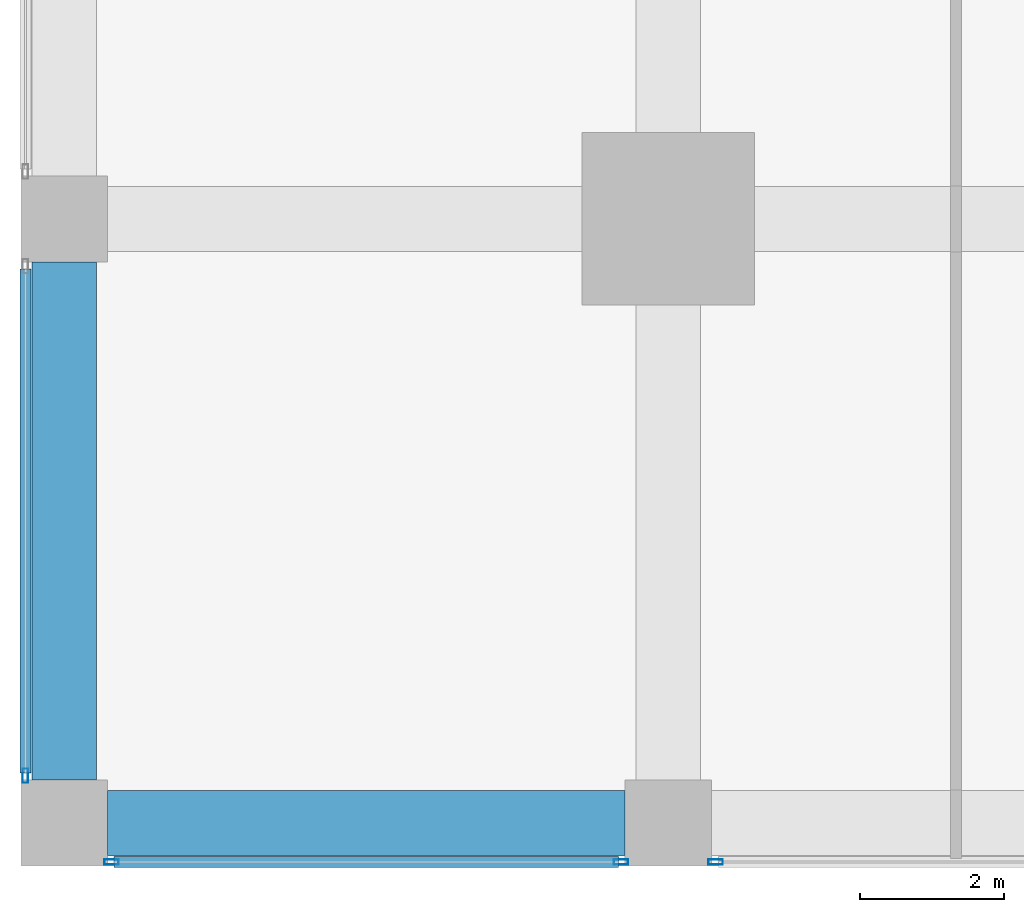
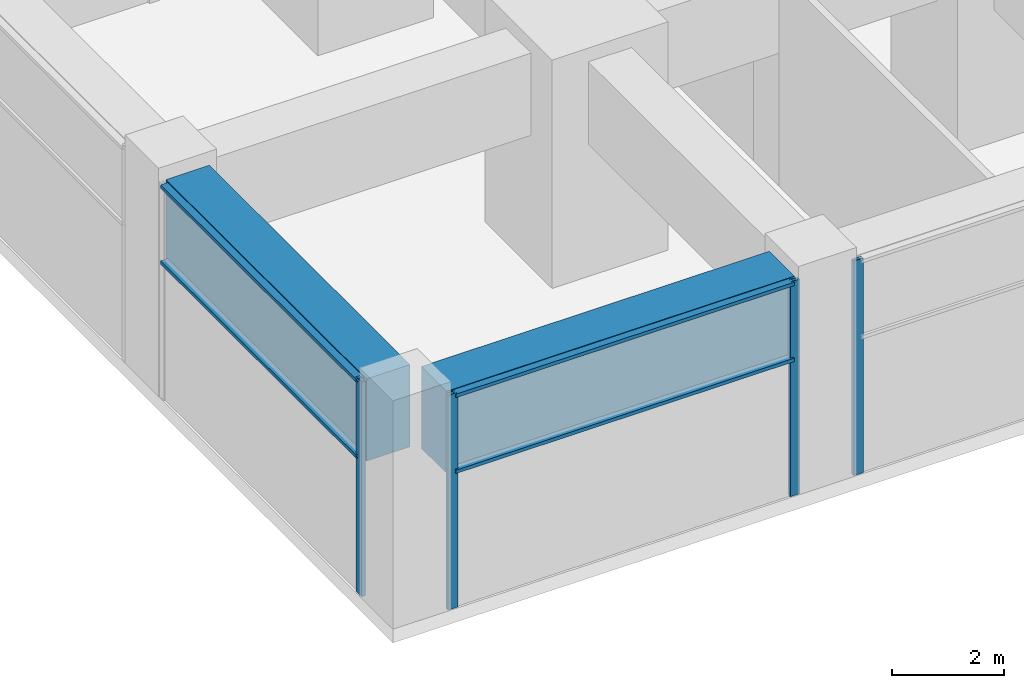
# One storey, part 3 of 48: 8 members, 2 beams, 3 elements without a shape of their own.
"""IFC4 building model written with IfcOpenShell, lengths in metres."""

from ifc_helpers import new_model, si_unit, direction, frame, origin, origin_2d, place, context, subcontext, project, spatial, rectangle, hollow_rectangle, extrude, material, material_profile, profile_set, type_object, element, aggregate, save


model = new_model("IFC4")

# Units and contexts
model_context = context("Model", 3, precision=1e-05, world=origin(), true_north=direction((0.0, 1.0)))
body_context = subcontext(model_context, "Body", "Model", "MODEL_VIEW")
ifc_project = project(units=[si_unit("LENGTHUNIT", "METRE"), si_unit("AREAUNIT", "SQUARE_METRE"), si_unit("VOLUMEUNIT", "CUBIC_METRE"), si_unit("PLANEANGLEUNIT", "RADIAN"), si_unit("MASSUNIT", "GRAM", prefix="KILO")], contexts=[model_context])

# Site, building, storey
site_placement = place(None, origin())
site = spatial("IfcSite", under=ifc_project, at=site_placement, CompositionType="ELEMENT")
building_placement = place(site_placement, origin())
building = spatial("IfcBuilding", under=site, at=building_placement, Name="Rekha Terrace Tower", CompositionType="ELEMENT")
storey_placement = place(building_placement, frame((0.0, 0.0, 15.39990234375)))
storey = spatial("IfcBuildingStorey", under=building, at=storey_placement, Name="L03", CompositionType="ELEMENT", Elevation=15.39990234375)

# Curtain wall, members
ifc_material_1 = material(Name="Aluminium framing", Category="aluminium")
curtain_wall_type = type_object("IfcCurtainWallType", Name="CW4 podium shopfront glazing", PredefinedType="USERDEFINED", material=ifc_material_1)
curtain_wall_1_placement = place(storey_placement, origin())
curtain_wall_1 = element("IfcCurtainWall", 1, at=curtain_wall_1_placement, inside=storey, type_object=curtain_wall_type, Name="CW4 shopfront curtain wall", ObjectType="SHOPFRONT CURTAIN WALL", PredefinedType="USERDEFINED")
ifc_material_2 = material(Name="Aluminium mullion section", Category="aluminium")
ifc_material_profile_1 = material_profile(ifc_material_2, hollow_rectangle(XDim=0.074951171875, YDim=0.199951171875, WallThickness=0.00390625, at=origin_2d()), Name="AL RHS 75x200")
ifc_profile_set_1 = profile_set([ifc_material_profile_1], Name="Aluminium mullion section")
member_type_1 = type_object("IfcMemberType", Name="CW4 mullion RHS 75 x 200", PredefinedType="MULLION", material=ifc_profile_set_1)
member_1_placement = place(storey_placement, frame((0.657470703125, -0.5400390625, 0.0), z_axis=(0.0, 0.0, 1.0), x_axis=(0.0, 1.0, 0.0)))
member_1 = element("IfcMember", 2, at=member_1_placement, type_object=member_type_1, Name="CW4 mullion 1", PredefinedType="MULLION", context=body_context, shape_type="SweptSolid", body=[
    extrude(hollow_rectangle(XDim=0.074951171875, YDim=0.199951171875, WallThickness=0.00390625, at=origin_2d()), origin(), (0.0, 0.0, 1.0), 4.7001953125),
])
member_2_placement = place(storey_placement, frame((7.742431640625, -0.5400390625, 0.0), z_axis=(0.0, 0.0, 1.0), x_axis=(0.0, 1.0, 0.0)))
member_2 = element("IfcMember", 3, at=member_2_placement, type_object=member_type_1, Name="CW4 mullion 2", PredefinedType="MULLION", context=body_context, shape_type="SweptSolid", body=[
    extrude(hollow_rectangle(XDim=0.074951171875, YDim=0.199951171875, WallThickness=0.00390625, at=origin_2d()), origin(), (0.0, 0.0, 1.0), 4.7001953125),
])

# Curtain wall, member
curtain_wall_2_placement = place(storey_placement, origin())
curtain_wall_2 = element("IfcCurtainWall", 4, at=curtain_wall_2_placement, inside=storey, type_object=curtain_wall_type, Name="CW4 shopfront curtain wall", ObjectType="SHOPFRONT CURTAIN WALL", PredefinedType="USERDEFINED")
member_3_placement = place(storey_placement, frame((9.0576171875, -0.5400390625, 0.0), z_axis=(0.0, 0.0, 1.0), x_axis=(0.0, 1.0, 0.0)))
member_3 = element("IfcMember", 5, at=member_3_placement, type_object=member_type_1, Name="CW4 mullion 1", PredefinedType="MULLION", context=body_context, shape_type="SweptSolid", body=[
    extrude(hollow_rectangle(XDim=0.074951171875, YDim=0.199951171875, WallThickness=0.00390625, at=origin_2d()), origin(), (0.0, 0.0, 1.0), 4.7001953125),
])
aggregate(curtain_wall_2, [member_3])

curtain_wall_3_placement = place(storey_placement, origin())
curtain_wall_3 = element("IfcCurtainWall", 6, at=curtain_wall_3_placement, inside=storey, type_object=curtain_wall_type, Name="CW4 shopfront curtain wall", ObjectType="SHOPFRONT CURTAIN WALL", PredefinedType="USERDEFINED")
member_4_placement = place(storey_placement, frame((-0.5400390625, 0.657470703125, 0.0), z_axis=(0.0, 0.0, 1.0), x_axis=(1.0, 0.0, 0.0)))
member_4 = element("IfcMember", 7, at=member_4_placement, type_object=member_type_1, Name="CW4 mullion 2", PredefinedType="MULLION", context=body_context, shape_type="SweptSolid", body=[
    extrude(hollow_rectangle(XDim=0.074951171875, YDim=0.199951171875, WallThickness=0.00390625, at=origin_2d()), origin(), (0.0, 0.0, 1.0), 4.7001953125),
])

# Member
ifc_material_3 = material(Name="Aluminium transom section", Category="aluminium")
ifc_material_profile_2 = material_profile(ifc_material_3, hollow_rectangle(XDim=0.14990234375, YDim=0.074951171875, WallThickness=0.0029296875, at=origin_2d()), Name="AL RHS 150x75")
ifc_profile_set_2 = profile_set([ifc_material_profile_2], Name="Aluminium transom section")
member_type_2 = type_object("IfcMemberType", Name="CW4 transom RHS 75 x 150", PredefinedType="USERDEFINED", material=ifc_profile_set_2)
member_5_placement = place(storey_placement, frame((0.695068359375, -0.5400390625, 3.0), z_axis=(1.0, 0.0, 0.0), x_axis=(0.0, 1.0, 0.0)))
member_5 = element("IfcMember", 8, at=member_5_placement, type_object=member_type_2, Name="CW4 transom 1.2", ObjectType="TRANSOM", PredefinedType="USERDEFINED", context=body_context, shape_type="SweptSolid", body=[
    extrude(hollow_rectangle(XDim=0.14990234375, YDim=0.074951171875, WallThickness=0.0029296875, at=origin_2d()), origin(), (0.0, 0.0, 1.0), 7.010009765625),
])

member_6_placement = place(storey_placement, frame((0.695068359375, -0.5400390625, 4.66259765625), z_axis=(1.0, 0.0, 0.0), x_axis=(0.0, 1.0, 0.0)))
member_6 = element("IfcMember", 9, at=member_6_placement, type_object=member_type_2, Name="CW4 transom 1.3", ObjectType="TRANSOM", PredefinedType="USERDEFINED", context=body_context, shape_type="SweptSolid", body=[
    extrude(hollow_rectangle(XDim=0.14990234375, YDim=0.074951171875, WallThickness=0.0029296875, at=origin_2d()), origin(), (0.0, 0.0, 1.0), 7.010009765625),
])

aggregate(curtain_wall_1, [member_1, member_2, member_5, member_6])

member_7_placement = place(storey_placement, frame((-0.5400390625, 7.705078125, 3.0), z_axis=(0.0, -1.0, 0.0), x_axis=(1.0, 0.0, 0.0)))
member_7 = element("IfcMember", 10, at=member_7_placement, type_object=member_type_2, Name="CW4 transom 1.2", ObjectType="TRANSOM", PredefinedType="USERDEFINED", context=body_context, shape_type="SweptSolid", body=[
    extrude(hollow_rectangle(XDim=0.14990234375, YDim=0.074951171875, WallThickness=0.0029296875, at=origin_2d()), origin(), (0.0, 0.0, 1.0), 7.010009765625),
])

member_8_placement = place(storey_placement, frame((-0.5400390625, 7.705078125, 4.66259765625), z_axis=(0.0, -1.0, 0.0), x_axis=(1.0, 0.0, 0.0)))
member_8 = element("IfcMember", 11, at=member_8_placement, type_object=member_type_2, Name="CW4 transom 1.3", ObjectType="TRANSOM", PredefinedType="USERDEFINED", context=body_context, shape_type="SweptSolid", body=[
    extrude(hollow_rectangle(XDim=0.14990234375, YDim=0.074951171875, WallThickness=0.0029296875, at=origin_2d()), origin(), (0.0, 0.0, 1.0), 7.010009765625),
])

aggregate(curtain_wall_3, [member_4, member_7, member_8])

# Beams
ifc_material_4 = material(Name="Concrete M60", Category="concrete")
ifc_material_profile_3 = material_profile(ifc_material_4, rectangle(XDim=0.89990234375, YDim=1.800048828125, at=origin_2d()), Name="RC 900x1800")
ifc_profile_set_3 = profile_set([ifc_material_profile_3], Name="Concrete M60")
beam_type = type_object("IfcBeamType", Name="G1 900x1800 podium floor beam", PredefinedType="BEAM", material=ifc_profile_set_3)
for number, where, z_axis, x_axis, name in (
    (12, (0.60009765625, 0.0, 3.800048828125), (1.0, 0.0, 0.0), (0.0, 1.0, 0.0), "Beam G1 1A-2A under L04"),
    (13, (0.0, 0.60009765625, 3.800048828125), (0.0, 1.0, 0.0), (-1.0, 0.0, 0.0), "Beam G1 1A-1B under L04"),
):
    element("IfcBeam", number, at=place(storey_placement, frame(where, z_axis=z_axis, x_axis=x_axis)), inside=storey, type_object=beam_type, Name=name, PredefinedType="BEAM", context=body_context, shape_type="SweptSolid", body=[
        extrude(rectangle(XDim=0.89990234375, YDim=1.800048828125, at=origin_2d()), origin(), (0.0, 0.0, 1.0), 7.199951171875),
    ])

save(model, "model.ifc")
